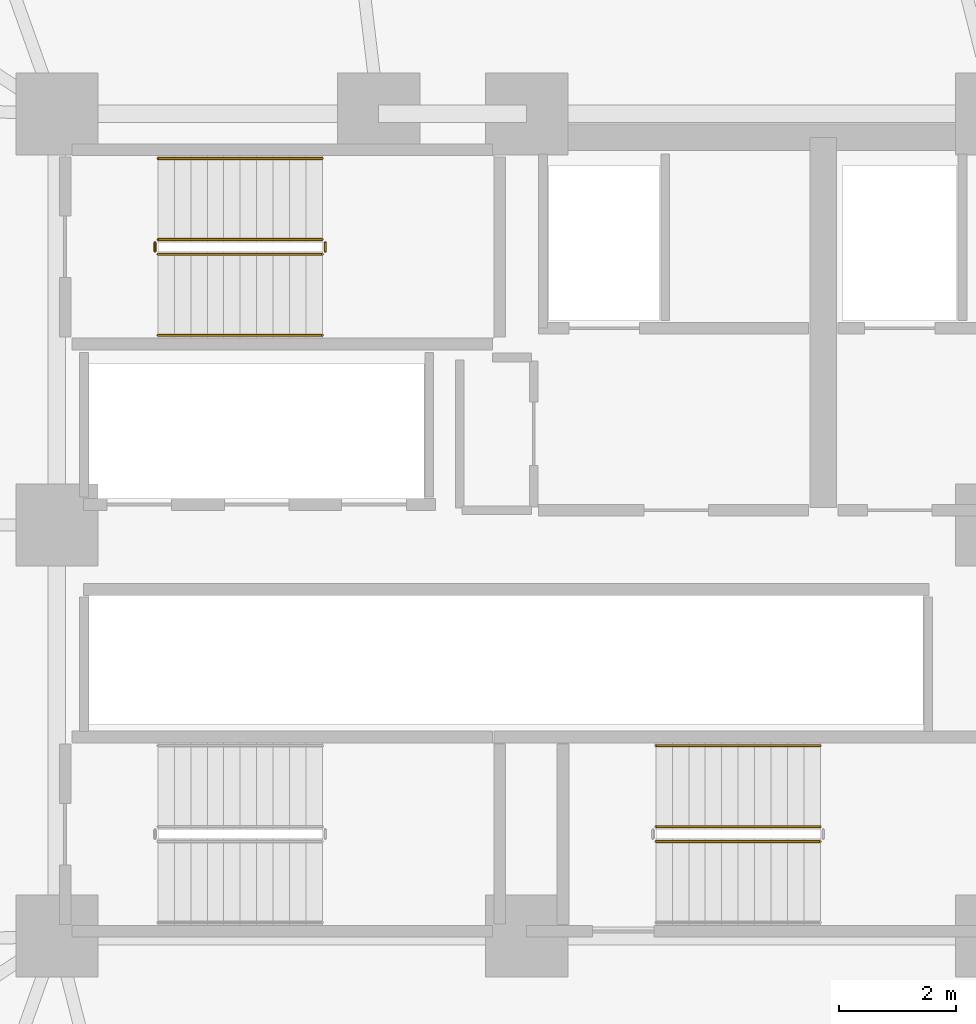
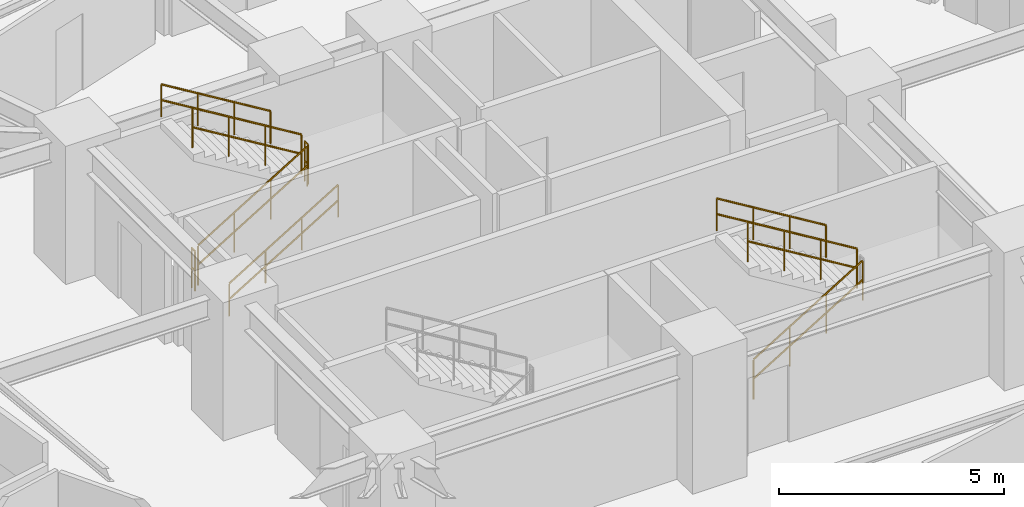
# One storey, part 33 of 35: 9 railings.
"""IFC4 building model written with IfcOpenShell, lengths in metres."""

from ifc_helpers import new_model, si_unit, direction, frame, origin, place, context, subcontext, project, spatial, polyline, outline, extrude, material, type_object, element, save


model = new_model("IFC4")

# Units and contexts
model_context = context("Model", 3, precision=1e-05, world=origin(), true_north=direction((0.0, 1.0)))
body_context = subcontext(model_context, "Body", "Model", "MODEL_VIEW")
ifc_project = project(units=[si_unit("LENGTHUNIT", "METRE"), si_unit("AREAUNIT", "SQUARE_METRE"), si_unit("VOLUMEUNIT", "CUBIC_METRE"), si_unit("PLANEANGLEUNIT", "RADIAN"), si_unit("MASSUNIT", "GRAM", prefix="KILO")], contexts=[model_context])

# Site, building, storey
site_placement = place(None, origin())
site = spatial("IfcSite", under=ifc_project, at=site_placement, CompositionType="ELEMENT")
building_placement = place(site_placement, origin())
building = spatial("IfcBuilding", under=site, at=building_placement, Name="Kelanora Arch Commons", CompositionType="ELEMENT")
storey_placement = place(building_placement, frame((0.0, 0.0, 95.10009765625)))
storey = spatial("IfcBuildingStorey", under=building, at=storey_placement, Name="L24", CompositionType="ELEMENT", Elevation=95.10009765625)

# Railings
ifc_material_1 = material(Name="Painted steel stair well guard", Category="steel")
railing_type_1 = type_object("IfcRailingType", Name="RAIL-STAIR-GRD", PredefinedType="GUARDRAIL", material=ifc_material_1)
railing_1_placement = place(storey_placement, frame((67.719970703125, 62.610107421875, 0.17041015625)))
element("IfcRailing", 1, at=railing_1_placement, inside=storey, type_object=railing_type_1, Name="L24 ST-T1 stair guard 1", PredefinedType="GUARDRAIL", context=body_context, shape_type="SweptSolid", body=[
    extrude(outline(polyline([(0.02392578125, 0.0), (0.011962890625, 0.020751953125), (-0.011962890625, 0.020751953125), (-0.02392578125, 0.0), (-0.011962890625, -0.020751953125), (0.011962890625, -0.020751953125), (0.02392578125, 0.0)])), frame((0.0, 0.0, 1.076171875), z_axis=(0.854169791009, 0.0, 0.51999420009), x_axis=(0.0, 1.0, 0.0)), (0.0, 0.0, 1.0), 3.278076171875),
    extrude(outline(polyline([(0.02392578125, 0.0), (0.011962890625, 0.020751953125), (-0.011962890625, 0.020751953125), (-0.02392578125, 0.0), (-0.011962890625, -0.020751953125), (0.011962890625, -0.020751953125), (0.02392578125, 0.0)])), frame((0.0, 0.0, 0.550048828125), z_axis=(0.854169791009, 0.0, 0.51999420009), x_axis=(0.0, 1.0, 0.0)), (0.0, 0.0, 1.0), 3.278076171875),
    extrude(outline(polyline([(0.02099609375, 0.0), (0.010498046875, 0.01806640625), (-0.010498046875, 0.01806640625), (-0.02099609375, 0.0), (-0.010498046875, -0.01806640625), (0.010498046875, -0.01806640625), (0.02099609375, 0.0)])), origin(), (0.0, 0.0, 1.0), 1.052001953125),
    extrude(outline(polyline([(0.02099609375, 0.0), (0.010498046875, 0.01806640625), (-0.010498046875, 0.01806640625), (-0.02099609375, 0.0), (-0.010498046875, -0.01806640625), (0.010498046875, -0.01806640625), (0.02099609375, 0.0)])), frame((0.933349609375, 0.0, 0.568115234375)), (0.0, 0.0, 1.0), 1.052001953125),
    extrude(outline(polyline([(0.02099609375, 0.0), (0.010498046875, 0.01806640625), (-0.010498046875, 0.01806640625), (-0.02099609375, 0.0), (-0.010498046875, -0.01806640625), (0.010498046875, -0.01806640625), (0.02099609375, 0.0)])), frame((1.86669921875, 0.0, 1.136474609375)), (0.0, 0.0, 1.0), 1.052001953125),
    extrude(outline(polyline([(0.02099609375, 0.0), (0.010498046875, 0.01806640625), (-0.010498046875, 0.01806640625), (-0.02099609375, 0.0), (-0.010498046875, -0.01806640625), (0.010498046875, -0.01806640625), (0.02099609375, 0.0)])), frame((2.800048828125, 0.0, 1.70458984375)), (0.0, 0.0, 1.0), 1.052001953125),
])
railing_2_placement = place(storey_placement, frame((70.570068359375, 62.659912109375, 1.875)))
element("IfcRailing", 2, at=railing_2_placement, inside=storey, type_object=railing_type_1, Name="L24 ST-T1 stair guard 2", PredefinedType="GUARDRAIL", context=body_context, shape_type="SweptSolid", body=[
    extrude(outline(polyline([(0.02392578125, 0.0), (0.011962890625, 0.020751953125), (-0.011962890625, 0.020751953125), (-0.02392578125, 0.0), (-0.011962890625, -0.020751953125), (0.011962890625, -0.020751953125), (0.02392578125, 0.0)])), frame((0.0, 0.0, 1.076171875), z_axis=(0.0, 1.0, 0.0), x_axis=(-1.0, 0.0, 0.0)), (0.0, 0.0, 1.0), 0.150146484375),
    extrude(outline(polyline([(0.02392578125, 0.0), (0.011962890625, 0.020751953125), (-0.011962890625, 0.020751953125), (-0.02392578125, 0.0), (-0.011962890625, -0.020751953125), (0.011962890625, -0.020751953125), (0.02392578125, 0.0)])), frame((0.0, 0.0, 0.550048828125), z_axis=(0.0, 1.0, 0.0), x_axis=(-1.0, 0.0, 0.0)), (0.0, 0.0, 1.0), 0.150146484375),
    extrude(outline(polyline([(0.02099609375, 0.0), (0.010498046875, 0.01806640625), (-0.010498046875, 0.01806640625), (-0.02099609375, 0.0), (-0.010498046875, -0.01806640625), (0.010498046875, -0.01806640625), (0.02099609375, 0.0)])), origin(), (0.0, 0.0, 1.0), 1.052001953125),
    extrude(outline(polyline([(0.02099609375, 0.0), (0.010498046875, 0.01806640625), (-0.010498046875, 0.01806640625), (-0.02099609375, 0.0), (-0.010498046875, -0.01806640625), (0.010498046875, -0.01806640625), (0.02099609375, 0.0)])), frame((0.0, 0.150146484375, 0.0)), (0.0, 0.0, 1.0), 1.052001953125),
])
railing_3_placement = place(storey_placement, frame((70.52001953125, 62.860107421875, 2.04541015625)))
element("IfcRailing", 3, at=railing_3_placement, inside=storey, type_object=railing_type_1, Name="L24 ST-T1 stair guard 3", PredefinedType="GUARDRAIL", context=body_context, shape_type="SweptSolid", body=[
    extrude(outline(polyline([(0.02392578125, 0.0), (0.011962890625, 0.020751953125), (-0.011962890625, 0.020751953125), (-0.02392578125, 0.0), (-0.011962890625, -0.020751953125), (0.011962890625, -0.020751953125), (0.02392578125, 0.0)])), frame((0.0, 0.0, 1.076171875), z_axis=(-0.854169791009, 0.0, 0.51999420009), x_axis=(0.0, -1.0, 0.0)), (0.0, 0.0, 1.0), 3.278076171875),
    extrude(outline(polyline([(0.02392578125, 0.0), (0.011962890625, 0.020751953125), (-0.011962890625, 0.020751953125), (-0.02392578125, 0.0), (-0.011962890625, -0.020751953125), (0.011962890625, -0.020751953125), (0.02392578125, 0.0)])), frame((0.0, 0.0, 0.550048828125), z_axis=(-0.854169791009, 0.0, 0.51999420009), x_axis=(0.0, -1.0, 0.0)), (0.0, 0.0, 1.0), 3.278076171875),
    extrude(outline(polyline([(0.02099609375, 0.0), (0.010498046875, 0.01806640625), (-0.010498046875, 0.01806640625), (-0.02099609375, 0.0), (-0.010498046875, -0.01806640625), (0.010498046875, -0.01806640625), (0.02099609375, 0.0)])), origin(), (0.0, 0.0, 1.0), 1.052001953125),
    extrude(outline(polyline([(0.02099609375, 0.0), (0.010498046875, 0.01806640625), (-0.010498046875, 0.01806640625), (-0.02099609375, 0.0), (-0.010498046875, -0.01806640625), (0.010498046875, -0.01806640625), (0.02099609375, 0.0)])), frame((-0.933349609375, 0.0, 0.568115234375)), (0.0, 0.0, 1.0), 1.052001953125),
    extrude(outline(polyline([(0.02099609375, 0.0), (0.010498046875, 0.01806640625), (-0.010498046875, 0.01806640625), (-0.02099609375, 0.0), (-0.010498046875, -0.01806640625), (0.010498046875, -0.01806640625), (0.02099609375, 0.0)])), frame((-1.86669921875, 0.0, 1.136474609375)), (0.0, 0.0, 1.0), 1.052001953125),
    extrude(outline(polyline([(0.02099609375, 0.0), (0.010498046875, 0.01806640625), (-0.010498046875, 0.01806640625), (-0.02099609375, 0.0), (-0.010498046875, -0.01806640625), (0.010498046875, -0.01806640625), (0.02099609375, 0.0)])), frame((-2.800048828125, 0.0, 1.70458984375)), (0.0, 0.0, 1.0), 1.052001953125),
])
railing_4_placement = place(storey_placement, frame((67.669921875, 62.659912109375, 0.0)))
element("IfcRailing", 4, at=railing_4_placement, inside=storey, type_object=railing_type_1, Name="L24 ST-T1 stair guard 4", PredefinedType="GUARDRAIL", context=body_context, shape_type="SweptSolid", body=[
    extrude(outline(polyline([(0.02392578125, 0.0), (0.011962890625, 0.020751953125), (-0.011962890625, 0.020751953125), (-0.02392578125, 0.0), (-0.011962890625, -0.020751953125), (0.011962890625, -0.020751953125), (0.02392578125, 0.0)])), frame((0.0, 0.0, 1.076171875), z_axis=(0.0, 1.0, 0.0), x_axis=(-1.0, 0.0, 0.0)), (0.0, 0.0, 1.0), 0.150146484375),
    extrude(outline(polyline([(0.02392578125, 0.0), (0.011962890625, 0.020751953125), (-0.011962890625, 0.020751953125), (-0.02392578125, 0.0), (-0.011962890625, -0.020751953125), (0.011962890625, -0.020751953125), (0.02392578125, 0.0)])), frame((0.0, 0.0, 0.550048828125), z_axis=(0.0, 1.0, 0.0), x_axis=(-1.0, 0.0, 0.0)), (0.0, 0.0, 1.0), 0.150146484375),
    extrude(outline(polyline([(0.02099609375, 0.0), (0.010498046875, 0.01806640625), (-0.010498046875, 0.01806640625), (-0.02099609375, 0.0), (-0.010498046875, -0.01806640625), (0.010498046875, -0.01806640625), (0.02099609375, 0.0)])), origin(), (0.0, 0.0, 1.0), 1.052001953125),
    extrude(outline(polyline([(0.02099609375, 0.0), (0.010498046875, 0.01806640625), (-0.010498046875, 0.01806640625), (-0.02099609375, 0.0), (-0.010498046875, -0.01806640625), (0.010498046875, -0.01806640625), (0.02099609375, 0.0)])), frame((0.0, 0.150146484375, 0.0)), (0.0, 0.0, 1.0), 1.052001953125),
])
railing_5_placement = place(storey_placement, frame((76.199951171875, 52.610107421875, 0.17041015625)))
element("IfcRailing", 5, at=railing_5_placement, inside=storey, type_object=railing_type_1, Name="L24 ST-T2 stair guard 1", PredefinedType="GUARDRAIL", context=body_context, shape_type="SweptSolid", body=[
    extrude(outline(polyline([(0.02392578125, 0.0), (0.011962890625, 0.020751953125), (-0.011962890625, 0.020751953125), (-0.02392578125, 0.0), (-0.011962890625, -0.020751953125), (0.011962890625, -0.020751953125), (0.02392578125, 0.0)])), frame((0.0, 0.0, 1.076171875), z_axis=(0.854169791009, 0.0, 0.51999420009), x_axis=(0.0, 1.0, 0.0)), (0.0, 0.0, 1.0), 3.278076171875),
    extrude(outline(polyline([(0.02392578125, 0.0), (0.011962890625, 0.020751953125), (-0.011962890625, 0.020751953125), (-0.02392578125, 0.0), (-0.011962890625, -0.020751953125), (0.011962890625, -0.020751953125), (0.02392578125, 0.0)])), frame((0.0, 0.0, 0.550048828125), z_axis=(0.854169791009, 0.0, 0.51999420009), x_axis=(0.0, 1.0, 0.0)), (0.0, 0.0, 1.0), 3.278076171875),
    extrude(outline(polyline([(0.02099609375, 0.0), (0.010498046875, 0.01806640625), (-0.010498046875, 0.01806640625), (-0.02099609375, 0.0), (-0.010498046875, -0.01806640625), (0.010498046875, -0.01806640625), (0.02099609375, 0.0)])), origin(), (0.0, 0.0, 1.0), 1.052001953125),
    extrude(outline(polyline([(0.02099609375, 0.0), (0.010498046875, 0.01806640625), (-0.010498046875, 0.01806640625), (-0.02099609375, 0.0), (-0.010498046875, -0.01806640625), (0.010498046875, -0.01806640625), (0.02099609375, 0.0)])), frame((0.933349609375, 0.0, 0.568115234375)), (0.0, 0.0, 1.0), 1.052001953125),
    extrude(outline(polyline([(0.02099609375, 0.0), (0.010498046875, 0.01806640625), (-0.010498046875, 0.01806640625), (-0.02099609375, 0.0), (-0.010498046875, -0.01806640625), (0.010498046875, -0.01806640625), (0.02099609375, 0.0)])), frame((1.86669921875, 0.0, 1.136474609375)), (0.0, 0.0, 1.0), 1.052001953125),
    extrude(outline(polyline([(0.02099609375, 0.0), (0.010498046875, 0.01806640625), (-0.010498046875, 0.01806640625), (-0.02099609375, 0.0), (-0.010498046875, -0.01806640625), (0.010498046875, -0.01806640625), (0.02099609375, 0.0)])), frame((2.800048828125, 0.0, 1.70458984375)), (0.0, 0.0, 1.0), 1.052001953125),
])
railing_6_placement = place(storey_placement, frame((79.0, 52.860107421875, 2.04541015625)))
element("IfcRailing", 6, at=railing_6_placement, inside=storey, type_object=railing_type_1, Name="L24 ST-T2 stair guard 3", PredefinedType="GUARDRAIL", context=body_context, shape_type="SweptSolid", body=[
    extrude(outline(polyline([(0.02392578125, 0.0), (0.011962890625, 0.020751953125), (-0.011962890625, 0.020751953125), (-0.02392578125, 0.0), (-0.011962890625, -0.020751953125), (0.011962890625, -0.020751953125), (0.02392578125, 0.0)])), frame((0.0, 0.0, 1.076171875), z_axis=(-0.854169791009, 0.0, 0.51999420009), x_axis=(0.0, -1.0, 0.0)), (0.0, 0.0, 1.0), 3.278076171875),
    extrude(outline(polyline([(0.02392578125, 0.0), (0.011962890625, 0.020751953125), (-0.011962890625, 0.020751953125), (-0.02392578125, 0.0), (-0.011962890625, -0.020751953125), (0.011962890625, -0.020751953125), (0.02392578125, 0.0)])), frame((0.0, 0.0, 0.550048828125), z_axis=(-0.854169791009, 0.0, 0.51999420009), x_axis=(0.0, -1.0, 0.0)), (0.0, 0.0, 1.0), 3.278076171875),
    extrude(outline(polyline([(0.02099609375, 0.0), (0.010498046875, 0.01806640625), (-0.010498046875, 0.01806640625), (-0.02099609375, 0.0), (-0.010498046875, -0.01806640625), (0.010498046875, -0.01806640625), (0.02099609375, 0.0)])), origin(), (0.0, 0.0, 1.0), 1.052001953125),
    extrude(outline(polyline([(0.02099609375, 0.0), (0.010498046875, 0.01806640625), (-0.010498046875, 0.01806640625), (-0.02099609375, 0.0), (-0.010498046875, -0.01806640625), (0.010498046875, -0.01806640625), (0.02099609375, 0.0)])), frame((-0.933349609375, 0.0, 0.568115234375)), (0.0, 0.0, 1.0), 1.052001953125),
    extrude(outline(polyline([(0.02099609375, 0.0), (0.010498046875, 0.01806640625), (-0.010498046875, 0.01806640625), (-0.02099609375, 0.0), (-0.010498046875, -0.01806640625), (0.010498046875, -0.01806640625), (0.02099609375, 0.0)])), frame((-1.86669921875, 0.0, 1.136474609375)), (0.0, 0.0, 1.0), 1.052001953125),
    extrude(outline(polyline([(0.02099609375, 0.0), (0.010498046875, 0.01806640625), (-0.010498046875, 0.01806640625), (-0.02099609375, 0.0), (-0.010498046875, -0.01806640625), (0.010498046875, -0.01806640625), (0.02099609375, 0.0)])), frame((-2.800048828125, 0.0, 1.70458984375)), (0.0, 0.0, 1.0), 1.052001953125),
])
ifc_material_2 = material(Name="Brushed stainless steel stair handrail", Category="steel")
railing_type_2 = type_object("IfcRailingType", Name="RAIL-STAIR-HND", PredefinedType="HANDRAIL", material=ifc_material_2)
railing_7_placement = place(storey_placement, frame((67.719970703125, 61.22998046875, 0.17041015625)))
element("IfcRailing", 7, at=railing_7_placement, inside=storey, type_object=railing_type_2, Name="L24 ST-T1 stair handrail 1", PredefinedType="HANDRAIL", context=body_context, shape_type="SweptSolid", body=[
    extrude(outline(polyline([(0.02392578125, 0.0), (0.011962890625, 0.020751953125), (-0.011962890625, 0.020751953125), (-0.02392578125, 0.0), (-0.011962890625, -0.020751953125), (0.011962890625, -0.020751953125), (0.02392578125, 0.0)])), frame((0.0, 0.0, 0.8759765625), z_axis=(0.854169791009, 0.0, 0.51999420009), x_axis=(0.0, 1.0, 0.0)), (0.0, 0.0, 1.0), 3.278076171875),
    extrude(outline(polyline([(0.02392578125, 0.0), (0.011962890625, 0.020751953125), (-0.011962890625, 0.020751953125), (-0.02392578125, 0.0), (-0.011962890625, -0.020751953125), (0.011962890625, -0.020751953125), (0.02392578125, 0.0)])), frame((0.0, 0.0, 0.449951171875), z_axis=(0.854169791009, 0.0, 0.51999420009), x_axis=(0.0, 1.0, 0.0)), (0.0, 0.0, 1.0), 3.278076171875),
    extrude(outline(polyline([(0.02099609375, 0.0), (0.010498046875, 0.01806640625), (-0.010498046875, 0.01806640625), (-0.02099609375, 0.0), (-0.010498046875, -0.01806640625), (0.010498046875, -0.01806640625), (0.02099609375, 0.0)])), origin(), (0.0, 0.0, 1.0), 0.851806640625),
    extrude(outline(polyline([(0.02099609375, 0.0), (0.010498046875, 0.01806640625), (-0.010498046875, 0.01806640625), (-0.02099609375, 0.0), (-0.010498046875, -0.01806640625), (0.010498046875, -0.01806640625), (0.02099609375, 0.0)])), frame((0.933349609375, 0.0, 0.568115234375)), (0.0, 0.0, 1.0), 0.851806640625),
    extrude(outline(polyline([(0.02099609375, 0.0), (0.010498046875, 0.01806640625), (-0.010498046875, 0.01806640625), (-0.02099609375, 0.0), (-0.010498046875, -0.01806640625), (0.010498046875, -0.01806640625), (0.02099609375, 0.0)])), frame((1.86669921875, 0.0, 1.136474609375)), (0.0, 0.0, 1.0), 0.851806640625),
    extrude(outline(polyline([(0.02099609375, 0.0), (0.010498046875, 0.01806640625), (-0.010498046875, 0.01806640625), (-0.02099609375, 0.0), (-0.010498046875, -0.01806640625), (0.010498046875, -0.01806640625), (0.02099609375, 0.0)])), frame((2.800048828125, 0.0, 1.70458984375)), (0.0, 0.0, 1.0), 0.851806640625),
])
railing_8_placement = place(storey_placement, frame((70.52001953125, 64.239990234375, 2.04541015625)))
element("IfcRailing", 8, at=railing_8_placement, inside=storey, type_object=railing_type_2, Name="L24 ST-T1 stair handrail 2", PredefinedType="HANDRAIL", context=body_context, shape_type="SweptSolid", body=[
    extrude(outline(polyline([(0.02392578125, 0.0), (0.011962890625, 0.020751953125), (-0.011962890625, 0.020751953125), (-0.02392578125, 0.0), (-0.011962890625, -0.020751953125), (0.011962890625, -0.020751953125), (0.02392578125, 0.0)])), frame((0.0, 0.0, 0.8759765625), z_axis=(-0.854169791009, 0.0, 0.51999420009), x_axis=(0.0, -1.0, 0.0)), (0.0, 0.0, 1.0), 3.278076171875),
    extrude(outline(polyline([(0.02392578125, 0.0), (0.011962890625, 0.020751953125), (-0.011962890625, 0.020751953125), (-0.02392578125, 0.0), (-0.011962890625, -0.020751953125), (0.011962890625, -0.020751953125), (0.02392578125, 0.0)])), frame((0.0, 0.0, 0.449951171875), z_axis=(-0.854169791009, 0.0, 0.51999420009), x_axis=(0.0, -1.0, 0.0)), (0.0, 0.0, 1.0), 3.278076171875),
    extrude(outline(polyline([(0.02099609375, 0.0), (0.010498046875, 0.01806640625), (-0.010498046875, 0.01806640625), (-0.02099609375, 0.0), (-0.010498046875, -0.01806640625), (0.010498046875, -0.01806640625), (0.02099609375, 0.0)])), origin(), (0.0, 0.0, 1.0), 0.851806640625),
    extrude(outline(polyline([(0.02099609375, 0.0), (0.010498046875, 0.01806640625), (-0.010498046875, 0.01806640625), (-0.02099609375, 0.0), (-0.010498046875, -0.01806640625), (0.010498046875, -0.01806640625), (0.02099609375, 0.0)])), frame((-0.933349609375, 0.0, 0.568115234375)), (0.0, 0.0, 1.0), 0.851806640625),
    extrude(outline(polyline([(0.02099609375, 0.0), (0.010498046875, 0.01806640625), (-0.010498046875, 0.01806640625), (-0.02099609375, 0.0), (-0.010498046875, -0.01806640625), (0.010498046875, -0.01806640625), (0.02099609375, 0.0)])), frame((-1.86669921875, 0.0, 1.136474609375)), (0.0, 0.0, 1.0), 0.851806640625),
    extrude(outline(polyline([(0.02099609375, 0.0), (0.010498046875, 0.01806640625), (-0.010498046875, 0.01806640625), (-0.02099609375, 0.0), (-0.010498046875, -0.01806640625), (0.010498046875, -0.01806640625), (0.02099609375, 0.0)])), frame((-2.800048828125, 0.0, 1.70458984375)), (0.0, 0.0, 1.0), 0.851806640625),
])
railing_9_placement = place(storey_placement, frame((79.0, 54.239990234375, 2.04541015625)))
element("IfcRailing", 9, at=railing_9_placement, inside=storey, type_object=railing_type_2, Name="L24 ST-T2 stair handrail 2", PredefinedType="HANDRAIL", context=body_context, shape_type="SweptSolid", body=[
    extrude(outline(polyline([(0.02392578125, 0.0), (0.011962890625, 0.020751953125), (-0.011962890625, 0.020751953125), (-0.02392578125, 0.0), (-0.011962890625, -0.020751953125), (0.011962890625, -0.020751953125), (0.02392578125, 0.0)])), frame((0.0, 0.0, 0.8759765625), z_axis=(-0.854169791009, 0.0, 0.51999420009), x_axis=(0.0, -1.0, 0.0)), (0.0, 0.0, 1.0), 3.278076171875),
    extrude(outline(polyline([(0.02392578125, 0.0), (0.011962890625, 0.020751953125), (-0.011962890625, 0.020751953125), (-0.02392578125, 0.0), (-0.011962890625, -0.020751953125), (0.011962890625, -0.020751953125), (0.02392578125, 0.0)])), frame((0.0, 0.0, 0.449951171875), z_axis=(-0.854169791009, 0.0, 0.51999420009), x_axis=(0.0, -1.0, 0.0)), (0.0, 0.0, 1.0), 3.278076171875),
    extrude(outline(polyline([(0.02099609375, 0.0), (0.010498046875, 0.01806640625), (-0.010498046875, 0.01806640625), (-0.02099609375, 0.0), (-0.010498046875, -0.01806640625), (0.010498046875, -0.01806640625), (0.02099609375, 0.0)])), origin(), (0.0, 0.0, 1.0), 0.851806640625),
    extrude(outline(polyline([(0.02099609375, 0.0), (0.010498046875, 0.01806640625), (-0.010498046875, 0.01806640625), (-0.02099609375, 0.0), (-0.010498046875, -0.01806640625), (0.010498046875, -0.01806640625), (0.02099609375, 0.0)])), frame((-0.933349609375, 0.0, 0.568115234375)), (0.0, 0.0, 1.0), 0.851806640625),
    extrude(outline(polyline([(0.02099609375, 0.0), (0.010498046875, 0.01806640625), (-0.010498046875, 0.01806640625), (-0.02099609375, 0.0), (-0.010498046875, -0.01806640625), (0.010498046875, -0.01806640625), (0.02099609375, 0.0)])), frame((-1.86669921875, 0.0, 1.136474609375)), (0.0, 0.0, 1.0), 0.851806640625),
    extrude(outline(polyline([(0.02099609375, 0.0), (0.010498046875, 0.01806640625), (-0.010498046875, 0.01806640625), (-0.02099609375, 0.0), (-0.010498046875, -0.01806640625), (0.010498046875, -0.01806640625), (0.02099609375, 0.0)])), frame((-2.800048828125, 0.0, 1.70458984375)), (0.0, 0.0, 1.0), 0.851806640625),
])

save(model, "model.ifc")
